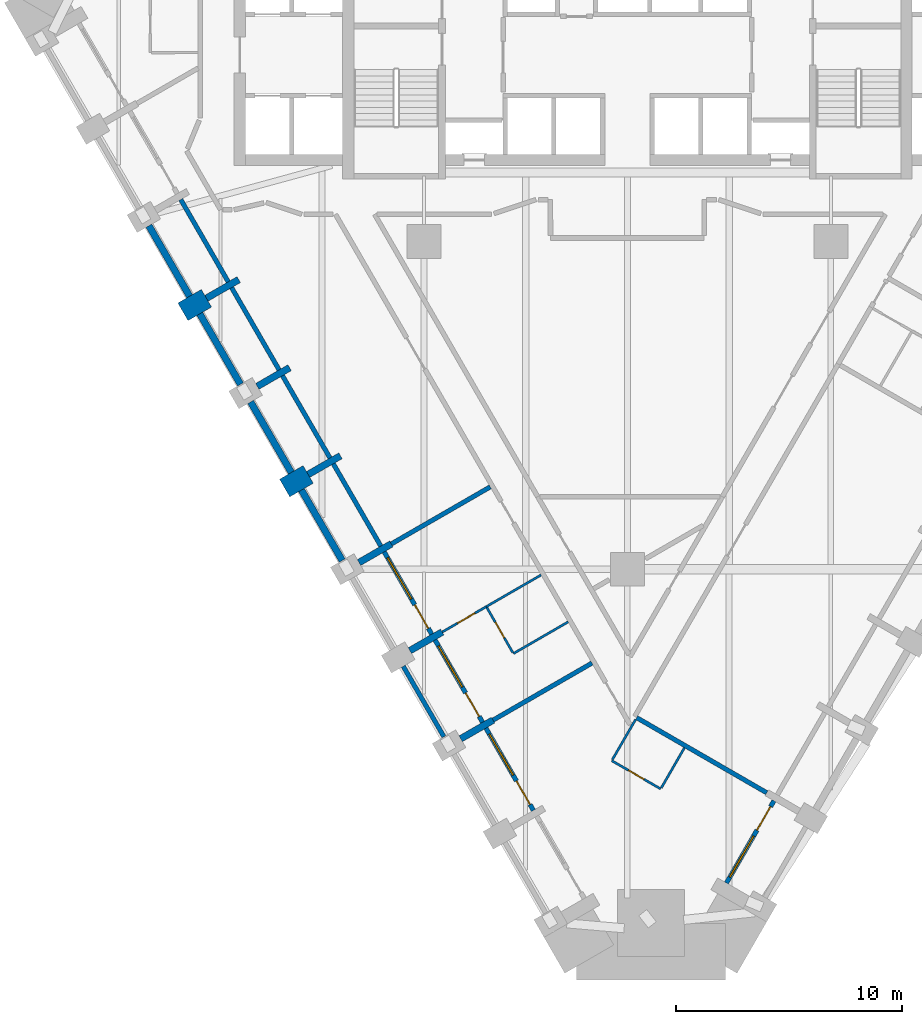
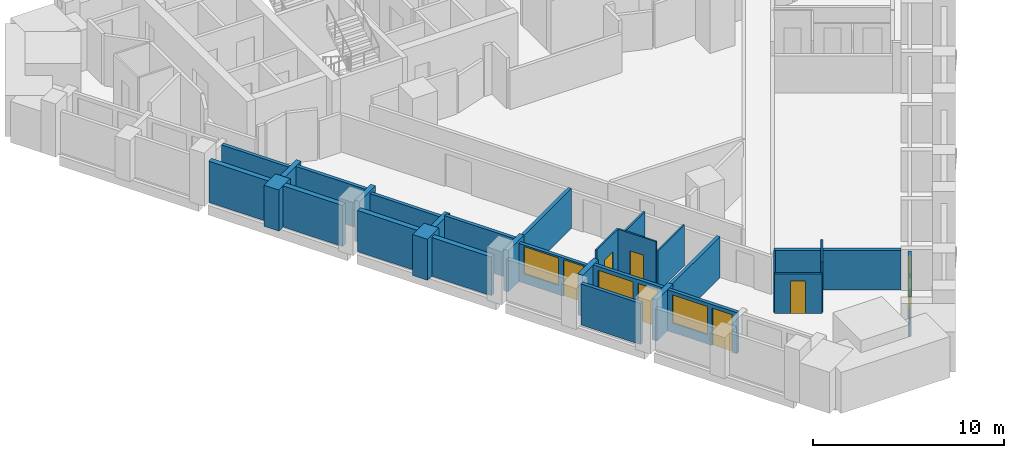
# One storey, part 3 of 10: 31 walls, 7 doors, 4 windows, 11 openings.
"""IFC4 building model written with IfcOpenShell, lengths in metres."""

import ifcopenshell
import ifcopenshell.guid

model = None  # the IFC model being written
_history = None  # IfcOwnerHistory: only IFC2X3 demands one
_inside = {}  # id of a spatial element -> (the spatial element, [elements in it])
_under = {}  # id of a project, library or spatial element -> (it, [spatial elements below it])
_declared = {}  # id of a project -> (the project, [libraries it declares])
_typed = {}  # id of a type object -> (the type object, [elements of that type])
_made_of = {}  # id of a material, layer set ... -> (it, [elements and type objects made of it])


def new_model(schema):
    """Start an empty IFC model of exactly this schema.

    Asked for "IFC4X3", IfcOpenShell would pick the latest addendum, in which some entities
    have other attributes; the version numbers below select the first issue.
    IFC2X3 requires an IfcOwnerHistory on every rooted entity: one is made here for all.
    """
    global model, _history
    if schema == "IFC4X3":
        model = ifcopenshell.file(schema_version=(4, 3, 0, 0))
    else:
        model = ifcopenshell.file(schema=schema)
    _inside.clear()
    _under.clear()
    _declared.clear()
    _typed.clear()
    _made_of.clear()
    _history = None
    if model.schema == "IFC2X3":
        org = make("IfcOrganization", Name="unknown")
        user = make(
            "IfcPersonAndOrganization",
            ThePerson=make("IfcPerson", FamilyName="unknown"),
            TheOrganization=org,
        )
        app = make(
            "IfcApplication",
            ApplicationDeveloper=org,
            Version="unknown",
            ApplicationFullName="unknown",
            ApplicationIdentifier="unknown",
        )
        _history = make(
            "IfcOwnerHistory",
            OwningUser=user,
            OwningApplication=app,
            ChangeAction="ADDED",
            CreationDate=0,
        )
    return model


def make(cls, **values):
    """One entity of the class cls with the attributes given. An attribute that is None is left unset."""
    return model.create_entity(
        cls, **{name: value for name, value in values.items() if value is not None}
    )


def rooted(cls, **values):
    """An entity with a GlobalId (a new one), such as an element, a storey or a relation."""
    return make(cls, GlobalId=ifcopenshell.guid.new(), OwnerHistory=_history, **values)


def si_unit(unit_type, name, prefix=None):
    """IfcSIUnit, for example si_unit("LENGTHUNIT", "METRE", prefix="MILLI")."""
    return make("IfcSIUnit", UnitType=unit_type, Prefix=prefix, Name=name)


def assignment(units):
    """IfcUnitAssignment: the units of a project."""
    return None if units is None else make("IfcUnitAssignment", Units=units)


def point(xyz):
    """IfcCartesianPoint."""
    return None if xyz is None else make("IfcCartesianPoint", Coordinates=xyz)


def direction(xyz):
    """IfcDirection."""
    return None if xyz is None else make("IfcDirection", DirectionRatios=xyz)


def frame(location, z_axis=None, x_axis=None):
    """IfcAxis2Placement3D, a coordinate frame: its origin and axes. An axis left out is left unset."""
    return make(
        "IfcAxis2Placement3D",
        Location=point(location),
        Axis=direction(z_axis),
        RefDirection=direction(x_axis),
    )


def frame_2d(location, x_axis=None):
    """IfcAxis2Placement2D, a coordinate frame in the plane: its origin and x axis."""
    return make(
        "IfcAxis2Placement2D", Location=point(location), RefDirection=direction(x_axis)
    )


def origin():
    """The frame at (0, 0, 0) with its axes left unset."""
    return frame((0.0, 0.0, 0.0))


def place(relative_to, where):
    """IfcLocalPlacement: puts the frame where relative to a parent placement (None: the world)."""
    return make(
        "IfcLocalPlacement", PlacementRelTo=relative_to, RelativePlacement=where
    )


def context(
    kind, dimensions, precision=None, world=None, true_north=None, identifier=None
):
    """IfcGeometricRepresentationContext, for example the 3D "Model" context."""
    return make(
        "IfcGeometricRepresentationContext",
        ContextIdentifier=identifier,
        ContextType=kind,
        CoordinateSpaceDimension=dimensions,
        Precision=precision,
        WorldCoordinateSystem=world,
        TrueNorth=true_north,
    )


def subcontext(parent, identifier, kind, view, scale=None):
    """IfcGeometricRepresentationSubContext, for example "Body" below "Model"."""
    return make(
        "IfcGeometricRepresentationSubContext",
        ContextIdentifier=identifier,
        ContextType=kind,
        ParentContext=parent,
        TargetScale=scale,
        TargetView=view,
    )


def project(units=None, contexts=None):
    """IfcProject with its units and contexts."""
    return rooted(
        "IfcProject",
        Name="project",
        RepresentationContexts=contexts,
        UnitsInContext=assignment(units),
    )


def spatial(cls, under=None, at=None, **own):
    """A site, building, storey or space (cls), placed at a placement, below another one or the project."""
    s = rooted(cls, ObjectPlacement=at, **own)
    if under is not None:
        _under.setdefault(under.id(), (under, []))[1].append(s)
    return s


def profile(cls, at=None, kind="AREA", **sizes):
    """A parametric profile (cls). Its sizes go by their IFC names, for example OverallWidth=200.0."""
    return make(cls, ProfileType=kind, Position=at, **sizes)


def rectangle(**sizes):
    """IfcRectangleProfileDef."""
    return profile("IfcRectangleProfileDef", **sizes)


def extrude(swept, where, along, depth):
    """IfcExtrudedAreaSolid: the profile swept, set in the frame where, extruded along a direction by depth."""
    return make(
        "IfcExtrudedAreaSolid",
        SweptArea=swept,
        Position=where,
        ExtrudedDirection=direction(along),
        Depth=depth,
    )


def shape(context_of_items, identifier, shape_type, items):
    """IfcShapeRepresentation: the items that make up one representation, for example the "Body"."""
    return make(
        "IfcShapeRepresentation",
        ContextOfItems=context_of_items,
        RepresentationIdentifier=identifier,
        RepresentationType=shape_type,
        Items=items,
    )


def material(Name=None, Category=None):
    """IfcMaterial."""
    return make("IfcMaterial", Name=Name, Category=Category)


def layer(
    of_material, thickness, ventilated=None, Name=None, Category=None, Priority=None
):
    """IfcMaterialLayer: one layer of a wall or slab, of a material (None: an air gap)."""
    return make(
        "IfcMaterialLayer",
        Material=of_material,
        LayerThickness=thickness,
        IsVentilated=ventilated,
        Name=Name,
        Category=Category,
        Priority=Priority,
    )


def layer_set(layers, Name=None):
    """IfcMaterialLayerSet."""
    return make("IfcMaterialLayerSet", MaterialLayers=layers, LayerSetName=Name)


def made_of(thing, what):
    """Note that an element or type object is made of a material, layer set ...; save() writes the relation."""
    if what is not None:
        _made_of.setdefault(what.id(), (what, []))[1].append(thing)
    return thing


def type_object(cls, material=None, **own):
    """A type object (cls), such as IfcWallType, which elements share."""
    return made_of(rooted(cls, **own), material)


def element(
    cls,
    number,
    at=None,
    inside=None,
    cuts=None,
    type_object=None,
    material=None,
    context=None,
    identifier="Body",
    shape_type=None,
    held_by="IfcProductDefinitionShape",
    body=None,
    shapes=None,
    **own,
):
    """One element of the class cls, such as IfcWall. Its Tag is "e" and its number.

    at: its placement. inside: the storey or other place that contains it. cuts: it is an
    opening in that element (IfcRelVoidsElement). A single representation is given by context,
    identifier, shape_type and body (its items); several are given by shapes. held_by: the class
    of the entity that holds the representations. save() writes the other relations.
    """
    e = rooted(cls, Tag="e%d" % number, ObjectPlacement=at, **own)
    if body is not None:
        shapes = [shape(context, identifier, shape_type, body)]
    if shapes is not None:
        e.Representation = make(held_by, Representations=shapes)
    if inside is not None:
        _inside.setdefault(inside.id(), (inside, []))[1].append(e)
    if cuts is not None:
        rooted(
            "IfcRelVoidsElement", RelatingBuildingElement=cuts, RelatedOpeningElement=e
        )
    if type_object is not None:
        _typed.setdefault(type_object.id(), (type_object, []))[1].append(e)
    return made_of(e, material)


def fill(opening, filler):
    """IfcRelFillsElement: the door or window that sits in an opening."""
    return rooted(
        "IfcRelFillsElement",
        RelatingOpeningElement=opening,
        RelatedBuildingElement=filler,
    )


def aggregate(whole, parts):
    """IfcRelAggregates: a whole, such as a stair, and the parts it consists of."""
    return rooted("IfcRelAggregates", RelatingObject=whole, RelatedObjects=parts)


def save(model, path):
    """Write the relations noted so far, then the file.

    IfcRelAggregates (storeys below a building ...), IfcRelContainedInSpatialStructure (elements
    in a storey), IfcRelDefinesByType, IfcRelAssociatesMaterial and IfcRelDeclares: one each for
    every whole, place, type object, material and project.
    """
    for whole, parts in _under.values():
        aggregate(whole, parts)
    for where, things in _inside.values():
        rooted(
            "IfcRelContainedInSpatialStructure",
            RelatedElements=things,
            RelatingStructure=where,
        )
    for kind, things in _typed.values():
        rooted("IfcRelDefinesByType", RelatedObjects=things, RelatingType=kind)
    for what, things in _made_of.values():
        rooted("IfcRelAssociatesMaterial", RelatedObjects=things, RelatingMaterial=what)
    for by, libraries in _declared.values():
        rooted("IfcRelDeclares", RelatingContext=by, RelatedDefinitions=libraries)
    model.write(path)


model = new_model("IFC4")

# Units and contexts
model_context = context("Model", 3, precision=1e-05, world=origin(), true_north=direction((0.0, 1.0)))
body_context = subcontext(model_context, "Body", "Model", "MODEL_VIEW")
ifc_project = project(units=[si_unit("LENGTHUNIT", "METRE"), si_unit("AREAUNIT", "SQUARE_METRE"), si_unit("VOLUMEUNIT", "CUBIC_METRE"), si_unit("PLANEANGLEUNIT", "RADIAN"), si_unit("MASSUNIT", "GRAM", prefix="KILO")], contexts=[model_context])

# Site, building, storey
site_placement = place(None, origin())
site = spatial("IfcSite", under=ifc_project, at=site_placement, CompositionType="ELEMENT")
building_placement = place(site_placement, origin())
building = spatial("IfcBuilding", under=site, at=building_placement, Name="Calabash Gate Tower", CompositionType="ELEMENT")
storey_placement = place(building_placement, frame((0.0, 0.0, 108.800048828125)))
storey = spatial("IfcBuildingStorey", under=building, at=storey_placement, Name="L24", CompositionType="ELEMENT", Elevation=108.800048828125)

# Walls
ifc_material_1 = material(Name="Terracotta brick masonry, exposed face", Category="masonry")
ifc_layer_1 = layer(ifc_material_1, 1.199951171875)
ifc_layer_set_1 = layer_set([ifc_layer_1], Name="Brick end wall 1200")
wall_type_1 = type_object("IfcWallType", Name="Brick end wall 1200", PredefinedType="SOLIDWALL", material=ifc_layer_set_1)
wall_1_placement = place(storey_placement, frame((-19.659423828125, -0.613525390625, 0.0), z_axis=(0.0, 0.0, 1.0), x_axis=(0.866043267704, 0.499969057507, 0.0)))
element("IfcWall", 1, at=wall_1_placement, inside=storey, type_object=wall_type_1, Name="Brick pier S06 SW0.3", PredefinedType="SOLIDWALL", context=body_context, shape_type="SweptSolid", body=[
    extrude(rectangle(XDim=1.19970703125, YDim=0.89990234375, at=frame_2d((0.599853515625, 0.0))), origin(), (0.0, 0.0, 1.0), 2.6298828125),
])
wall_2_placement = place(storey_placement, frame((-14.120361328125, -7.807861328125, 0.0), z_axis=(0.0, 0.0, 1.0), x_axis=(-0.865955154139, -0.50012165622, 0.0)))
element("IfcWall", 2, at=wall_2_placement, inside=storey, type_object=wall_type_1, Name="Brick pier S06 SW0.5", PredefinedType="SOLIDWALL", context=body_context, shape_type="SweptSolid", body=[
    extrude(rectangle(XDim=1.199951171875, YDim=0.89990234375, at=frame_2d((0.60009765625, 0.0))), origin(), (0.0, 0.0, 1.0), 2.6298828125),
])
ifc_material_2 = material(Name="Terracotta brick masonry, exposed face", Category="masonry")
ifc_layer_2 = layer(ifc_material_2, 0.300048828125)
ifc_layer_set_2 = layer_set([ifc_layer_2], Name="Brick infill panel wall 300")
wall_type_2 = type_object("IfcWallType", Name="Brick infill panel wall 300", PredefinedType="SOLIDWALL", material=ifc_layer_set_2)
wall_3_placement = place(storey_placement, frame((-21.164794921875, 3.193359375, 0.0), z_axis=(0.0, 0.0, 1.0), x_axis=(0.50001992892, -0.866013897511, 0.0)))
element("IfcWall", 3, at=wall_3_placement, inside=storey, type_object=wall_type_2, Name="Brick panel S06 SW0.3", PredefinedType="SOLIDWALL", context=body_context, shape_type="SweptSolid", body=[
    extrude(rectangle(XDim=3.599365234375, YDim=0.300048828125, at=frame_2d((1.7998046875, 0.0))), origin(), (0.0, 0.0, 1.0), 2.6298828125),
])
wall_4_placement = place(storey_placement, frame((-18.914794921875, -0.703369140625, 0.0), z_axis=(0.0, 0.0, 1.0), x_axis=(0.499961193289, -0.866047807691, 0.0)))
element("IfcWall", 4, at=wall_4_placement, inside=storey, type_object=wall_type_2, Name="Brick panel S06 SW0.4", PredefinedType="SOLIDWALL", context=body_context, shape_type="SweptSolid", body=[
    extrude(rectangle(XDim=3.599853515625, YDim=0.300048828125, at=frame_2d((1.7998046875, 0.0))), origin(), (0.0, 0.0, 1.0), 2.6298828125),
])
wall_5_placement = place(storey_placement, frame((-16.664794921875, -4.600341796875, 0.0), z_axis=(0.0, 0.0, 1.0), x_axis=(0.499931829785, -0.866064758299, 0.0)))
element("IfcWall", 5, at=wall_5_placement, inside=storey, type_object=wall_type_2, Name="Brick panel S06 SW0.5", PredefinedType="SOLIDWALL", context=body_context, shape_type="SweptSolid", body=[
    extrude(rectangle(XDim=3.60009765625, YDim=0.300048828125, at=frame_2d((1.800048828125, 0.0))), origin(), (0.0, 0.0, 1.0), 2.6298828125),
])
wall_6_placement = place(storey_placement, frame((-14.414794921875, -8.49755859375, 0.0), z_axis=(0.0, 0.0, 1.0), x_axis=(0.499984792966, -0.866034183392, 0.0)))
element("IfcWall", 6, at=wall_6_placement, inside=storey, type_object=wall_type_2, Name="Brick panel S06 SW0.6", PredefinedType="SOLIDWALL", context=body_context, shape_type="SweptSolid", body=[
    extrude(rectangle(XDim=3.59814453125, YDim=0.300048828125, at=frame_2d((1.799072265625, 0.0))), origin(), (0.0, 0.0, 1.0), 2.473388671875),
])
ifc_material_3 = material(Name="Terracotta brick masonry, exposed face", Category="masonry")
ifc_layer_3 = layer(ifc_material_3, 0.300048828125)
ifc_layer_set_3 = layer_set([ifc_layer_3], Name="Brick loggia cheek wall 300")
wall_type_3 = type_object("IfcWallType", Name="Brick loggia cheek wall 300", PredefinedType="SOLIDWALL", material=ifc_layer_set_3)
for number, where, z_axis, x_axis, name in (
    (7, (-18.620361328125, -0.013671875, 0.0), (0.0, 0.0, 1.0), (0.866040211805, 0.499974350878, 0.0), "Loggia cheek S06 SW0.3"),
    (8, (-16.370361328125, -3.91064453125, 0.0), (0.0, 0.0, 1.0), (0.866040211805, 0.499974350878, 0.0), "Loggia cheek S06 SW0.4"),
):
    element("IfcWall", number, at=place(storey_placement, frame(where, z_axis=z_axis, x_axis=x_axis)), inside=storey, type_object=wall_type_3, Name=name, PredefinedType="SOLIDWALL", context=body_context, shape_type="SweptSolid", body=[
        extrude(rectangle(XDim=1.64990234375, YDim=0.300048828125, at=frame_2d((0.824951171875, 0.0))), origin(), (0.0, 0.0, 1.0), 2.64990234375),
    ])
wall_7_placement = place(storey_placement, frame((-14.120361328125, -7.807861328125, 0.0), z_axis=(0.0, 0.0, 1.0), x_axis=(0.866040211805, 0.499974350878, 0.0)))
element("IfcWall", 9, at=wall_7_placement, inside=storey, type_object=wall_type_3, Name="Loggia cheek S06 SW0.5", PredefinedType="SOLIDWALL", context=body_context, shape_type="SweptSolid", body=[
    extrude(rectangle(XDim=1.64990234375, YDim=0.300048828125, at=frame_2d((0.824951171875, 0.0))), origin(), (0.0, 0.0, 1.0), 2.473388671875),
])
wall_8_placement = place(storey_placement, frame((-11.869384765625, -11.70458984375, 0.0), z_axis=(0.0, 0.0, 1.0), x_axis=(0.865956268984, 0.500119725873, 0.0)))
element("IfcWall", 10, at=wall_8_placement, inside=storey, type_object=wall_type_3, Name="Loggia cheek S06 SW0.6", PredefinedType="SOLIDWALL", context=body_context, shape_type="SweptSolid", body=[
    extrude(rectangle(XDim=1.64892578125, YDim=0.300048828125, at=frame_2d((0.824462890625, 0.0))), origin(), (0.0, 0.0, 1.0), 2.64990234375),
])
for number, where, z_axis, x_axis, name in (
    (11, (-9.620361328125, -15.60205078125, 0.0), (0.0, 0.0, 1.0), (0.866040211805, 0.499974350878, 0.0), "Loggia cheek S06 SW0.7"),
    (12, (-7.370361328125, -19.499267578125, 0.0), (0.0, 0.0, 1.0), (0.866040211805, 0.499974350878, 0.0), "Loggia cheek S06 SW0.8"),
):
    element("IfcWall", number, at=place(storey_placement, frame(where, z_axis=z_axis, x_axis=x_axis)), inside=storey, type_object=wall_type_3, Name=name, PredefinedType="SOLIDWALL", context=body_context, shape_type="SweptSolid", body=[
        extrude(rectangle(XDim=1.64990234375, YDim=0.300048828125, at=frame_2d((0.824951171875, 0.0))), origin(), (0.0, 0.0, 1.0), 2.64990234375),
    ])
ifc_material_4 = material(Name="Gypsum board on steel studs, mineral wool", Category="steel")
ifc_layer_4 = layer(ifc_material_4, 0.10009765625)
ifc_layer_set_4 = layer_set([ifc_layer_4], Name="Partition 100 gypsum board")
wall_type_4 = type_object("IfcWallType", Name="Partition 100 gypsum board", PredefinedType="PARTITIONING", material=ifc_layer_set_4)
wall_9_placement = place(storey_placement, frame((1.499755859375, -21.675048828125, 0.0), z_axis=(0.0, 0.0, 1.0), x_axis=(0.499303169309, 0.866427345551, 0.0)))
element("IfcWall", 13, at=wall_9_placement, inside=storey, type_object=wall_type_4, Name="Partition", PredefinedType="PARTITIONING", context=body_context, shape_type="SweptSolid", body=[
    extrude(rectangle(XDim=2.05029296875, YDim=0.10009765625, at=frame_2d((1.025146484375, 0.0))), origin(), (0.0, 0.0, 1.0), 3.22998046875),
])

# Wall, opening, door
wall_10_placement = place(storey_placement, frame((-0.690185546875, -20.46826171875, 0.0), z_axis=(0.0, 0.0, 1.0), x_axis=(0.866022959057, -0.500004234368, 0.0)))
wall_10 = element("IfcWall", 14, at=wall_10_placement, inside=storey, type_object=wall_type_4, Name="Partition", PredefinedType="PARTITIONING", context=body_context, shape_type="SweptSolid", body=[
    extrude(rectangle(XDim=2.5, YDim=0.10009765625, at=frame_2d((1.25, 0.0))), origin(), (0.0, 0.0, 1.0), 2.5517578125),
])
opening_1_placement = place(wall_10_placement, frame((0.85009765625, 0.0, 0.0)))
opening_1 = element("IfcOpeningElement", 15, at=opening_1_placement, cuts=wall_10, Name="Opening 22-24-011", PredefinedType="OPENING", context=body_context, shape_type="SweptSolid", body=[
    extrude(rectangle(XDim=0.800048828125, YDim=2.10009765625, at=frame_2d((0.39990234375, 1.050048828125))), frame((0.0, 0.06005859375, 0.0), z_axis=(0.0, -1.0, 0.0), x_axis=(1.0, 0.0, 0.0)), (0.0, 0.0, 1.0), 0.1201171875),
])
ifc_material_5 = material(Name="Painted timber door", Category="wood")
door_type_1 = type_object("IfcDoorType", Name="GD5 En-suite door 800x2100", OperationType="NOTDEFINED", PredefinedType="DOOR", material=ifc_material_5)
door_1_placement = place(opening_1_placement, origin())
door_1 = element("IfcDoor", 16, at=door_1_placement, inside=storey, type_object=door_type_1, Name="En-suite door", OperationType="SINGLE_SWING_RIGHT", OverallHeight=2.10009765625, OverallWidth=0.800048828125, PredefinedType="DOOR", context=body_context, shape_type="SweptSolid", body=[
    extrude(rectangle(XDim=0.800048828125, YDim=2.10009765625, at=frame_2d((0.39990234375, 1.050048828125))), frame((0.0, 0.02490234375, 0.0), z_axis=(0.0, -1.0, 0.0), x_axis=(1.0, 0.0, 0.0)), (0.0, 0.0, 1.0), 0.050048828125),
])
fill(opening_1, door_1)

# Walls
wall_11_placement = place(storey_placement, frame((-0.665283203125, -20.425048828125, 0.0), z_axis=(0.0, 0.0, 1.0), x_axis=(0.500646589026, 0.865651773461, 0.0)))
element("IfcWall", 17, at=wall_11_placement, inside=storey, type_object=wall_type_4, Name="Partition", PredefinedType="PARTITIONING", context=body_context, shape_type="SweptSolid", body=[
    extrude(rectangle(XDim=2.050048828125, YDim=0.10009765625, at=frame_2d((1.02490234375, 0.0))), origin(), (0.0, 0.0, 1.0), 2.5517578125),
])
wall_12_placement = place(storey_placement, frame((-5.042724609375, -15.730712890625, 0.0), z_axis=(0.0, 0.0, 1.0), x_axis=(0.865682875764, 0.500592807188, 0.0)))
element("IfcWall", 18, at=wall_12_placement, inside=storey, type_object=wall_type_4, Name="Partition", PredefinedType="PARTITIONING", context=body_context, shape_type="SweptSolid", body=[
    extrude(rectangle(XDim=2.7998046875, YDim=0.10009765625, at=frame_2d((1.39990234375, 0.0))), origin(), (0.0, 0.0, 1.0), 2.6279296875),
])

# Wall, opening, door
wall_13_placement = place(storey_placement, frame((-6.21533203125, -13.6962890625, 0.0), z_axis=(0.0, 0.0, 1.0), x_axis=(0.499418922955, -0.86636062895, 0.0)))
wall_13 = element("IfcWall", 19, at=wall_13_placement, inside=storey, type_object=wall_type_4, Name="Partition", PredefinedType="PARTITIONING", context=body_context, shape_type="SweptSolid", body=[
    extrude(rectangle(XDim=2.298095703125, YDim=0.10009765625, at=frame_2d((1.14892578125, 0.0))), origin(), (0.0, 0.0, 1.0), 3.22998046875),
])
opening_2_placement = place(wall_13_placement, frame((0.747802734375, 0.0, 0.0)))
opening_2 = element("IfcOpeningElement", 20, at=opening_2_placement, cuts=wall_13, Name="Opening 22-24-004", PredefinedType="OPENING", context=body_context, shape_type="SweptSolid", body=[
    extrude(rectangle(XDim=0.800048828125, YDim=2.10009765625, at=frame_2d((0.39990234375, 1.050048828125))), frame((0.0, 0.06005859375, 0.0), z_axis=(0.0, -1.0, 0.0), x_axis=(1.0, 0.0, 0.0)), (0.0, 0.0, 1.0), 0.1201171875),
])
door_2_placement = place(opening_2_placement, origin())
door_2 = element("IfcDoor", 21, at=door_2_placement, inside=storey, type_object=door_type_1, Name="En-suite door", OperationType="SINGLE_SWING_RIGHT", OverallHeight=2.10009765625, OverallWidth=0.800048828125, PredefinedType="DOOR", context=body_context, shape_type="SweptSolid", body=[
    extrude(rectangle(XDim=0.800048828125, YDim=2.10009765625, at=frame_2d((0.39990234375, 1.050048828125))), frame((0.0, 0.02490234375, 0.0), z_axis=(0.0, -1.0, 0.0), x_axis=(1.0, 0.0, 0.0)), (0.0, 0.0, 1.0), 0.050048828125),
])
fill(opening_2, door_2)

wall_14_placement = place(storey_placement, frame((-8.191162109375, -14.77734375, 0.0), z_axis=(0.0, 0.0, 1.0), x_axis=(0.866427577834, 0.499302766234, 0.0)))
wall_14 = element("IfcWall", 22, at=wall_14_placement, inside=storey, type_object=wall_type_4, Name="Partition", PredefinedType="PARTITIONING", context=body_context, shape_type="SweptSolid", body=[
    extrude(rectangle(XDim=2.249755859375, YDim=0.10009765625, at=frame_2d((1.125, 0.0))), origin(), (0.0, 0.0, 1.0), 3.22998046875),
])
opening_3_placement = place(wall_14_placement, frame((0.780029296875, 0.0, 0.0)))
opening_3 = element("IfcOpeningElement", 23, at=opening_3_placement, cuts=wall_14, Name="Opening 22-24-003", PredefinedType="OPENING", context=body_context, shape_type="SweptSolid", body=[
    extrude(rectangle(XDim=0.89990234375, YDim=2.10009765625, at=frame_2d((0.449951171875, 1.050048828125))), frame((0.0, 0.06005859375, 0.0), z_axis=(0.0, -1.0, 0.0), x_axis=(1.0, 0.0, 0.0)), (0.0, 0.0, 1.0), 0.1201171875),
])
ifc_material_6 = material(Name="Painted timber door", Category="wood")
door_type_2 = type_object("IfcDoorType", Name="GD7 Suite room door 900x2100", OperationType="NOTDEFINED", PredefinedType="DOOR", material=ifc_material_6)
door_3_placement = place(opening_3_placement, origin())
door_3 = element("IfcDoor", 24, at=door_3_placement, inside=storey, type_object=door_type_2, Name="Suite room door", OperationType="SINGLE_SWING_RIGHT", OverallHeight=2.10009765625, OverallWidth=0.89990234375, PredefinedType="DOOR", context=body_context, shape_type="SweptSolid", body=[
    extrude(rectangle(XDim=0.89990234375, YDim=2.10009765625, at=frame_2d((0.449951171875, 1.050048828125))), frame((0.0, 0.02490234375, 0.0), z_axis=(0.0, -1.0, 0.0), x_axis=(1.0, 0.0, 0.0)), (0.0, 0.0, 1.0), 0.050048828125),
])
fill(opening_3, door_3)

# Walls
wall_15_placement = place(storey_placement, frame((-6.240234375, -13.653076171875, 0.0), z_axis=(0.0, 0.0, 1.0), x_axis=(0.865995230276, 0.500052258409, 0.0)))
element("IfcWall", 25, at=wall_15_placement, inside=storey, type_object=wall_type_4, Name="Partition", PredefinedType="PARTITIONING", context=body_context, shape_type="SweptSolid", body=[
    extrude(rectangle(XDim=2.798095703125, YDim=0.10009765625, at=frame_2d((1.39892578125, 0.0))), origin(), (0.0, 0.0, 1.0), 2.6279296875),
])
ifc_material_7 = material(Name="Gypsum board on steel studs, mineral wool", Category="steel")
ifc_layer_5 = layer(ifc_material_7, 0.199951171875)
ifc_layer_set_5 = layer_set([ifc_layer_5], Name="Partition 200 gypsum board EI 60")
wall_type_5 = type_object("IfcWallType", Name="Partition 200 gypsum board EI 60", PredefinedType="PARTITIONING", material=ifc_layer_set_5)
wall_16_placement = place(storey_placement, frame((-5.941162109375, -18.674560546875, 0.0), z_axis=(0.0, 0.0, 1.0), x_axis=(0.866176731722, 0.499737800674, 0.0)))
element("IfcWall", 26, at=wall_16_placement, inside=storey, type_object=wall_type_5, Name="Partition", PredefinedType="PARTITIONING", context=body_context, shape_type="SweptSolid", body=[
    extrude(rectangle(XDim=5.049560546875, YDim=0.199951171875, at=frame_2d((2.52490234375, 0.0))), origin(), (0.0, 0.0, 1.0), 2.6279296875),
])
wall_17_placement = place(storey_placement, frame((0.408935546875, -18.564208984375, 0.0), z_axis=(0.0, 0.0, 1.0), x_axis=(0.866008881804, -0.500028615818, 0.0)))
element("IfcWall", 27, at=wall_17_placement, inside=storey, type_object=wall_type_5, Name="Partition", PredefinedType="PARTITIONING", context=body_context, shape_type="SweptSolid", body=[
    extrude(rectangle(XDim=6.6494140625, YDim=0.199951171875, at=frame_2d((3.32470703125, 0.0))), origin(), (0.0, 0.0, 1.0), 2.5517578125),
])
wall_18_placement = place(storey_placement, frame((-10.441162109375, -10.880126953125, 0.0), z_axis=(0.0, 0.0, 1.0), x_axis=(0.866188805601, 0.49971687289, 0.0)))
element("IfcWall", 28, at=wall_18_placement, inside=storey, type_object=wall_type_5, Name="Partition", PredefinedType="PARTITIONING", context=body_context, shape_type="SweptSolid", body=[
    extrude(rectangle(XDim=5.0498046875, YDim=0.199951171875, at=frame_2d((2.52490234375, 0.0))), origin(), (0.0, 0.0, 1.0), 2.5517578125),
])
ifc_material_8 = material(Name="Terracotta brick masonry, perforated", Category="masonry")
ifc_layer_6 = layer(ifc_material_8, 0.199951171875)
ifc_layer_set_6 = layer_set([ifc_layer_6], Name="Terracotta jaali screen B")
wall_type_6 = type_object("IfcWallType", Name="Terracotta jaali screen B", PredefinedType="SOLIDWALL", material=ifc_layer_set_6)
wall_19_placement = place(storey_placement, frame((-9.914794921875, -16.291748046875, 0.0), z_axis=(0.0, 0.0, 1.0), x_axis=(0.499961193289, -0.866047807691, 0.0)))
element("IfcWall", 29, at=wall_19_placement, inside=storey, type_object=wall_type_6, Name="SCREEN B S06 SW0.8", PredefinedType="SOLIDWALL", context=body_context, shape_type="SweptSolid", body=[
    extrude(rectangle(XDim=3.599853515625, YDim=0.199951171875, at=frame_2d((1.7998046875, 0.0))), origin(), (0.0, 0.0, 1.0), 2.6298828125),
])
ifc_material_9 = material(Name="Aluminium framed window wall with insulated spandrel", Category="aluminium")
ifc_layer_7 = layer(ifc_material_9, 0.199951171875)
ifc_layer_set_7 = layer_set([ifc_layer_7], Name="Window wall 200")
wall_type_7 = type_object("IfcWallType", Name="Window wall 200", PredefinedType="ELEMENTEDWALL", material=ifc_layer_set_7)
wall_20_placement = place(storey_placement, frame((-19.756103515625, 4.353515625, 0.0), z_axis=(0.0, 0.0, 1.0), x_axis=(0.500027713859, -0.866009402589, 0.0)))
element("IfcWall", 30, at=wall_20_placement, inside=storey, type_object=wall_type_7, Name="Window wall S06 SW0.3", PredefinedType="ELEMENTEDWALL", context=body_context, shape_type="SweptSolid", body=[
    extrude(rectangle(XDim=4.199951171875, YDim=0.199951171875, at=frame_2d((2.10009765625, 0.0))), origin(), (0.0, 0.0, 1.0), 2.449951171875),
])
wall_21_placement = place(storey_placement, frame((-17.506103515625, 0.45654296875, 0.0), z_axis=(0.0, 0.0, 1.0), x_axis=(0.500002543286, -0.866023935413, 0.0)))
element("IfcWall", 31, at=wall_21_placement, inside=storey, type_object=wall_type_7, Name="Window wall S06 SW0.4", PredefinedType="ELEMENTEDWALL", context=body_context, shape_type="SweptSolid", body=[
    extrude(rectangle(XDim=4.2001953125, YDim=0.199951171875, at=frame_2d((2.10009765625, 0.0))), origin(), (0.0, 0.0, 1.0), 2.64990234375),
])
wall_22_placement = place(storey_placement, frame((-15.256103515625, -3.440673828125, 0.0), z_axis=(0.0, 0.0, 1.0), x_axis=(0.500027713859, -0.866009402589, 0.0)))
element("IfcWall", 32, at=wall_22_placement, inside=storey, type_object=wall_type_7, Name="Window wall S06 SW0.5", PredefinedType="ELEMENTEDWALL", context=body_context, shape_type="SweptSolid", body=[
    extrude(rectangle(XDim=4.199951171875, YDim=0.199951171875, at=frame_2d((2.10009765625, 0.0))), origin(), (0.0, 0.0, 1.0), 2.473388671875),
])
wall_23_placement = place(storey_placement, frame((-13.006103515625, -7.337646484375, 0.0), z_axis=(0.0, 0.0, 1.0), x_axis=(0.500002543286, -0.866023935413, 0.0)))
element("IfcWall", 33, at=wall_23_placement, inside=storey, type_object=wall_type_7, Name="Window wall S06 SW0.6", PredefinedType="ELEMENTEDWALL", context=body_context, shape_type="SweptSolid", body=[
    extrude(rectangle(XDim=4.2001953125, YDim=0.199951171875, at=frame_2d((2.10009765625, 0.0))), origin(), (0.0, 0.0, 1.0), 2.64990234375),
])

# Wall, openings, door, window
wall_24_placement = place(storey_placement, frame((-10.756103515625, -11.23486328125, 0.0), z_axis=(0.0, 0.0, 1.0), x_axis=(0.500027713859, -0.866009402589, 0.0)))
wall_24 = element("IfcWall", 34, at=wall_24_placement, inside=storey, type_object=wall_type_7, Name="Window wall S06 SW0.7", PredefinedType="ELEMENTEDWALL", context=body_context, shape_type="SweptSolid", body=[
    extrude(rectangle(XDim=4.199951171875, YDim=0.199951171875, at=frame_2d((2.10009765625, 0.0))), origin(), (0.0, 0.0, 1.0), 2.449951171875),
])
opening_4_placement = place(wall_24_placement, frame((0.300048828125, 0.0, 0.60009765625)))
opening_4 = element("IfcOpeningElement", 35, at=opening_4_placement, cuts=wall_24, Name="Opening HW1L-1750", PredefinedType="OPENING", context=body_context, shape_type="SweptSolid", body=[
    extrude(rectangle(XDim=2.10009765625, YDim=1.75, at=frame_2d((1.050048828125, 0.875))), frame((0.0, 0.10986328125, 0.0), z_axis=(0.0, -1.0, 0.0), x_axis=(1.0, 0.0, 0.0)), (0.0, 0.0, 1.0), 0.219970703125),
])
opening_5_placement = place(wall_24_placement, frame((2.699951171875, 0.0, 0.0)))
opening_5 = element("IfcOpeningElement", 36, at=opening_5_placement, cuts=wall_24, Name="Opening H6-023", PredefinedType="OPENING", context=body_context, shape_type="SweptSolid", body=[
    extrude(rectangle(XDim=1.199951171875, YDim=2.35009765625, at=frame_2d((0.60009765625, 1.175048828125))), frame((0.0, 0.10986328125, 0.0), z_axis=(0.0, -1.0, 0.0), x_axis=(1.0, 0.0, 0.0)), (0.0, 0.0, 1.0), 0.219970703125),
])
ifc_material_10 = material(Name="Anodised aluminium frame, bronze finish, impact-rated laminated clear glazing", Category="aluminium")
door_type_3 = type_object("IfcDoorType", Name="Loggia door DH1L-2350 1200x2350", OperationType="SLIDING_TO_LEFT", PredefinedType="DOOR", material=ifc_material_10)
door_4_placement = place(opening_5_placement, origin())
door_4 = element("IfcDoor", 37, at=door_4_placement, inside=storey, type_object=door_type_3, Name="Loggia door S06 SW0.7", OperationType="SINGLE_SWING_LEFT", OverallHeight=2.35009765625, OverallWidth=1.199951171875, PredefinedType="DOOR", context=body_context, shape_type="SweptSolid", body=[
    extrude(rectangle(XDim=1.199951171875, YDim=2.35009765625, at=frame_2d((0.60009765625, 1.175048828125))), frame((0.0, 0.02490234375, 0.0), z_axis=(0.0, -1.0, 0.0), x_axis=(1.0, 0.0, 0.0)), (0.0, 0.0, 1.0), 0.050048828125),
])
fill(opening_5, door_4)
ifc_material_11 = material(Name="Anodised aluminium frame, bronze finish, impact-rated laminated clear glazing", Category="aluminium")
window_type_1 = type_object("IfcWindowType", Name="Window HW1L 2100x1750", PartitioningType="DOUBLE_PANEL_VERTICAL", PredefinedType="WINDOW", material=ifc_material_11)
window_1_placement = place(opening_4_placement, origin())
window_1 = element("IfcWindow", 38, at=window_1_placement, inside=storey, type_object=window_type_1, Name="Window HW1 S06 SW0.7", OverallHeight=1.75, OverallWidth=2.10009765625, PartitioningType="SINGLE_PANEL", PredefinedType="WINDOW", context=body_context, shape_type="SweptSolid", body=[
    extrude(rectangle(XDim=2.10009765625, YDim=1.75, at=frame_2d((1.050048828125, 0.875))), frame((0.0, 0.030029296875, 0.0), z_axis=(0.0, -1.0, 0.0), x_axis=(1.0, 0.0, 0.0)), (0.0, 0.0, 1.0), 0.06005859375),
])
fill(opening_4, window_1)

wall_25_placement = place(storey_placement, frame((-8.506103515625, -15.132080078125, 0.0), z_axis=(0.0, 0.0, 1.0), x_axis=(0.500027713859, -0.866009402589, 0.0)))
wall_25 = element("IfcWall", 39, at=wall_25_placement, inside=storey, type_object=wall_type_7, Name="Window wall S06 SW0.8", PredefinedType="ELEMENTEDWALL", context=body_context, shape_type="SweptSolid", body=[
    extrude(rectangle(XDim=4.199951171875, YDim=0.199951171875, at=frame_2d((2.10009765625, 0.0))), origin(), (0.0, 0.0, 1.0), 2.64990234375),
])
opening_6_placement = place(wall_25_placement, frame((0.300048828125, 0.0, 0.60009765625)))
opening_6 = element("IfcOpeningElement", 40, at=opening_6_placement, cuts=wall_25, Name="Opening HW1", PredefinedType="OPENING", context=body_context, shape_type="SweptSolid", body=[
    extrude(rectangle(XDim=2.10009765625, YDim=1.800048828125, at=frame_2d((1.050048828125, 0.89990234375))), frame((0.0, 0.10986328125, 0.0), z_axis=(0.0, -1.0, 0.0), x_axis=(1.0, 0.0, 0.0)), (0.0, 0.0, 1.0), 0.219970703125),
])
opening_7_placement = place(wall_25_placement, frame((2.699951171875, 0.0, 0.0)))
opening_7 = element("IfcOpeningElement", 41, at=opening_7_placement, cuts=wall_25, Name="Opening H6-024", PredefinedType="OPENING", context=body_context, shape_type="SweptSolid", body=[
    extrude(rectangle(XDim=1.199951171875, YDim=2.39990234375, at=frame_2d((0.60009765625, 1.199951171875))), frame((0.0, 0.10986328125, 0.0), z_axis=(0.0, -1.0, 0.0), x_axis=(1.0, 0.0, 0.0)), (0.0, 0.0, 1.0), 0.219970703125),
])
ifc_material_12 = material(Name="Anodised aluminium frame, bronze finish, impact-rated laminated clear glazing", Category="aluminium")
door_type_4 = type_object("IfcDoorType", Name="Loggia door DH1 1200x2400", OperationType="SLIDING_TO_LEFT", PredefinedType="DOOR", material=ifc_material_12)
door_5_placement = place(opening_7_placement, origin())
door_5 = element("IfcDoor", 42, at=door_5_placement, inside=storey, type_object=door_type_4, Name="Loggia door S06 SW0.8", OperationType="SINGLE_SWING_LEFT", OverallHeight=2.39990234375, OverallWidth=1.199951171875, PredefinedType="DOOR", context=body_context, shape_type="SweptSolid", body=[
    extrude(rectangle(XDim=1.199951171875, YDim=2.39990234375, at=frame_2d((0.60009765625, 1.199951171875))), frame((0.0, 0.02490234375, 0.0), z_axis=(0.0, -1.0, 0.0), x_axis=(1.0, 0.0, 0.0)), (0.0, 0.0, 1.0), 0.050048828125),
])
fill(opening_7, door_5)
ifc_material_13 = material(Name="Anodised aluminium frame, bronze finish, impact-rated laminated clear glazing", Category="aluminium")
window_type_2 = type_object("IfcWindowType", Name="Window HW1 2100x1800", PartitioningType="DOUBLE_PANEL_VERTICAL", PredefinedType="WINDOW", material=ifc_material_13)
window_2_placement = place(opening_6_placement, origin())
window_2 = element("IfcWindow", 43, at=window_2_placement, inside=storey, type_object=window_type_2, Name="Window HW1 S06 SW0.8", OverallHeight=1.800048828125, OverallWidth=2.10009765625, PartitioningType="SINGLE_PANEL", PredefinedType="WINDOW", context=body_context, shape_type="SweptSolid", body=[
    extrude(rectangle(XDim=2.10009765625, YDim=1.800048828125, at=frame_2d((1.050048828125, 0.89990234375))), frame((0.0, 0.030029296875, 0.0), z_axis=(0.0, -1.0, 0.0), x_axis=(1.0, 0.0, 0.0)), (0.0, 0.0, 1.0), 0.06005859375),
])
fill(opening_6, window_2)

wall_26_placement = place(storey_placement, frame((-6.256103515625, -19.029052734375, 0.0), z_axis=(0.0, 0.0, 1.0), x_axis=(0.500002543286, -0.866023935413, 0.0)))
wall_26 = element("IfcWall", 44, at=wall_26_placement, inside=storey, type_object=wall_type_7, Name="Window wall S06 SW0.9", PredefinedType="ELEMENTEDWALL", context=body_context, shape_type="SweptSolid", body=[
    extrude(rectangle(XDim=4.2001953125, YDim=0.199951171875, at=frame_2d((2.10009765625, 0.0))), origin(), (0.0, 0.0, 1.0), 2.6279296875),
])
opening_8_placement = place(wall_26_placement, frame((0.300048828125, 0.0, 0.60009765625)))
opening_8 = element("IfcOpeningElement", 45, at=opening_8_placement, cuts=wall_26, Name="Opening HW1", PredefinedType="OPENING", context=body_context, shape_type="SweptSolid", body=[
    extrude(rectangle(XDim=2.10009765625, YDim=1.800048828125, at=frame_2d((1.050048828125, 0.89990234375))), frame((0.0, 0.10986328125, 0.0), z_axis=(0.0, -1.0, 0.0), x_axis=(1.0, 0.0, 0.0)), (0.0, 0.0, 1.0), 0.219970703125),
])
opening_9_placement = place(wall_26_placement, frame((2.699951171875, 0.0, 0.0)))
opening_9 = element("IfcOpeningElement", 46, at=opening_9_placement, cuts=wall_26, Name="Opening H6-025", PredefinedType="OPENING", context=body_context, shape_type="SweptSolid", body=[
    extrude(rectangle(XDim=1.199951171875, YDim=2.39990234375, at=frame_2d((0.60009765625, 1.199951171875))), frame((0.0, 0.10986328125, 0.0), z_axis=(0.0, -1.0, 0.0), x_axis=(1.0, 0.0, 0.0)), (0.0, 0.0, 1.0), 0.219970703125),
])
door_6_placement = place(opening_9_placement, origin())
door_6 = element("IfcDoor", 47, at=door_6_placement, inside=storey, type_object=door_type_4, Name="Loggia door S06 SW0.9", OperationType="SINGLE_SWING_LEFT", OverallHeight=2.39990234375, OverallWidth=1.199951171875, PredefinedType="DOOR", context=body_context, shape_type="SweptSolid", body=[
    extrude(rectangle(XDim=1.199951171875, YDim=2.39990234375, at=frame_2d((0.60009765625, 1.199951171875))), frame((0.0, 0.02490234375, 0.0), z_axis=(0.0, -1.0, 0.0), x_axis=(1.0, 0.0, 0.0)), (0.0, 0.0, 1.0), 0.050048828125),
])
fill(opening_9, door_6)
window_3_placement = place(opening_8_placement, origin())
window_3 = element("IfcWindow", 48, at=window_3_placement, inside=storey, type_object=window_type_2, Name="Window HW1 S06 SW0.9", OverallHeight=1.800048828125, OverallWidth=2.10009765625, PartitioningType="SINGLE_PANEL", PredefinedType="WINDOW", context=body_context, shape_type="SweptSolid", body=[
    extrude(rectangle(XDim=2.10009765625, YDim=1.800048828125, at=frame_2d((1.050048828125, 0.89990234375))), frame((0.0, 0.030029296875, 0.0), z_axis=(0.0, -1.0, 0.0), x_axis=(1.0, 0.0, 0.0)), (0.0, 0.0, 1.0), 0.06005859375),
])
fill(opening_8, window_3)

wall_27_placement = place(storey_placement, frame((4.38330078125, -25.879638671875, 0.0), z_axis=(0.0, 0.0, 1.0), x_axis=(0.500002543286, 0.866023935413, 0.0)))
wall_27 = element("IfcWall", 49, at=wall_27_placement, inside=storey, type_object=wall_type_7, Name="Window wall S06 SE2.1", PredefinedType="ELEMENTEDWALL", context=body_context, shape_type="SweptSolid", body=[
    extrude(rectangle(XDim=4.2001953125, YDim=0.199951171875, at=frame_2d((2.10009765625, 0.0))), origin(), (0.0, 0.0, 1.0), 2.5517578125),
])
opening_10_placement = place(wall_27_placement, frame((0.300048828125, 0.0, 0.60009765625)))
opening_10 = element("IfcOpeningElement", 50, at=opening_10_placement, cuts=wall_27, Name="Opening HW1", PredefinedType="OPENING", context=body_context, shape_type="SweptSolid", body=[
    extrude(rectangle(XDim=2.10009765625, YDim=1.800048828125, at=frame_2d((1.050048828125, 0.89990234375))), frame((0.0, 0.10986328125, 0.0), z_axis=(0.0, -1.0, 0.0), x_axis=(1.0, 0.0, 0.0)), (0.0, 0.0, 1.0), 0.219970703125),
])
opening_11_placement = place(wall_27_placement, frame((2.699951171875, 0.0, 0.0)))
opening_11 = element("IfcOpeningElement", 51, at=opening_11_placement, cuts=wall_27, Name="Opening H6-018", PredefinedType="OPENING", context=body_context, shape_type="SweptSolid", body=[
    extrude(rectangle(XDim=1.199951171875, YDim=2.39990234375, at=frame_2d((0.60009765625, 1.199951171875))), frame((0.0, 0.10986328125, 0.0), z_axis=(0.0, -1.0, 0.0), x_axis=(1.0, 0.0, 0.0)), (0.0, 0.0, 1.0), 0.219970703125),
])
door_7_placement = place(opening_11_placement, origin())
door_7 = element("IfcDoor", 52, at=door_7_placement, inside=storey, type_object=door_type_4, Name="Loggia door S06 SE2.1", OperationType="SINGLE_SWING_LEFT", OverallHeight=2.39990234375, OverallWidth=1.199951171875, PredefinedType="DOOR", context=body_context, shape_type="SweptSolid", body=[
    extrude(rectangle(XDim=1.199951171875, YDim=2.39990234375, at=frame_2d((0.60009765625, 1.199951171875))), frame((0.0, 0.02490234375, 0.0), z_axis=(0.0, -1.0, 0.0), x_axis=(1.0, 0.0, 0.0)), (0.0, 0.0, 1.0), 0.050048828125),
])
fill(opening_11, door_7)
window_4_placement = place(opening_10_placement, origin())
window_4 = element("IfcWindow", 53, at=window_4_placement, inside=storey, type_object=window_type_2, Name="Window HW1 S06 SE2.1", OverallHeight=1.800048828125, OverallWidth=2.10009765625, PartitioningType="SINGLE_PANEL", PredefinedType="WINDOW", context=body_context, shape_type="SweptSolid", body=[
    extrude(rectangle(XDim=2.10009765625, YDim=1.800048828125, at=frame_2d((1.050048828125, 0.89990234375))), frame((0.0, 0.030029296875, 0.0), z_axis=(0.0, -1.0, 0.0), x_axis=(1.0, 0.0, 0.0)), (0.0, 0.0, 1.0), 0.06005859375),
])
fill(opening_10, window_4)

save(model, "model.ifc")
